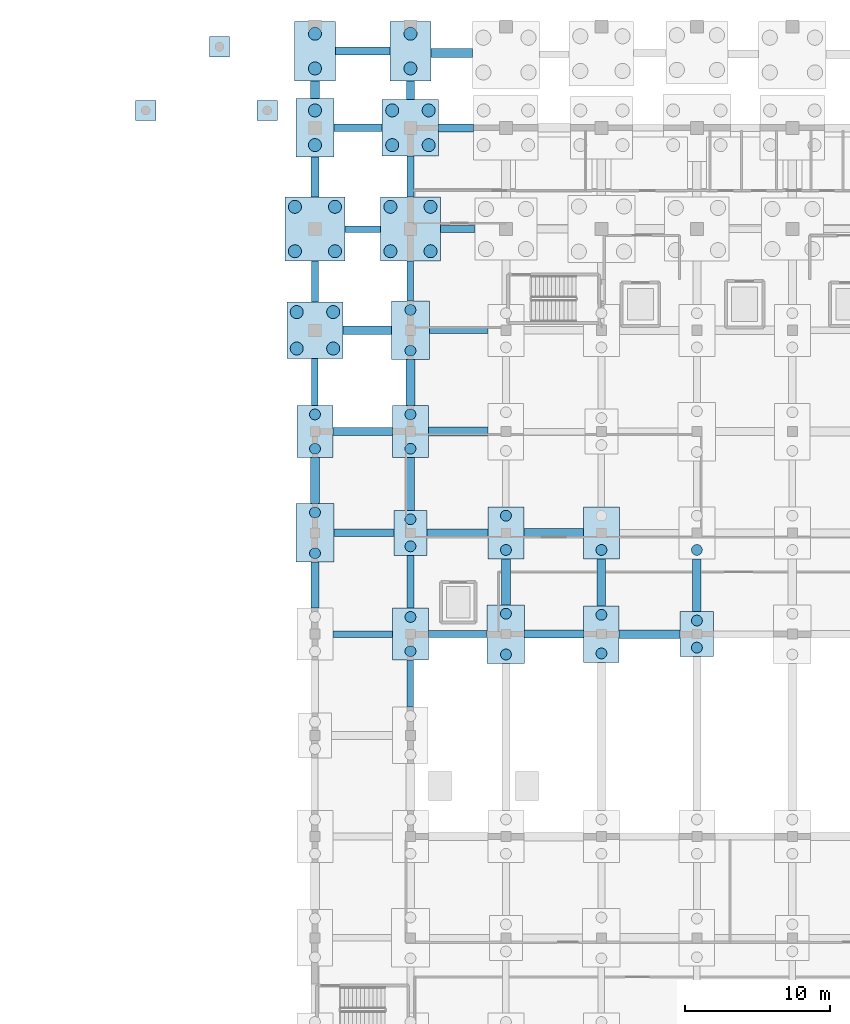
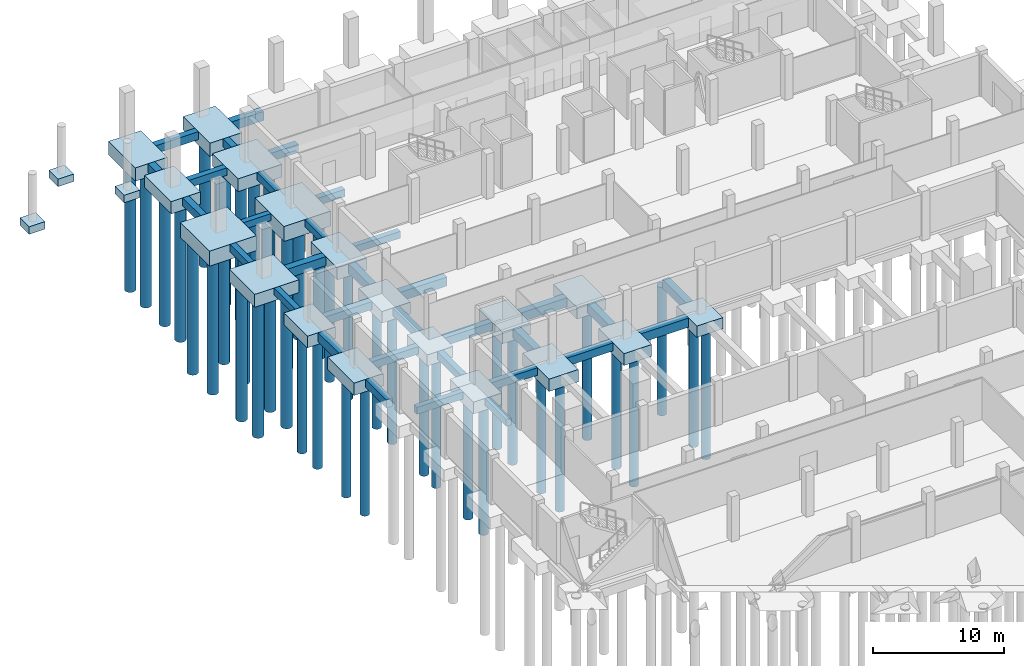
# One storey, part 8 of 27: 54 footings, 44 piles.
"""IFC4 building model written with IfcOpenShell, lengths in metres."""

from ifc_helpers import new_model, si_unit, direction, frame, origin, origin_2d, place, context, subcontext, project, spatial, rectangle, circle, extrude, material, material_profile, profile_set, type_object, element, save


model = new_model("IFC4")

# Units and contexts
model_context = context("Model", 3, precision=1e-05, world=origin(), true_north=direction((0.0, 1.0)))
body_context = subcontext(model_context, "Body", "Model", "MODEL_VIEW")
ifc_project = project(units=[si_unit("LENGTHUNIT", "METRE"), si_unit("AREAUNIT", "SQUARE_METRE"), si_unit("VOLUMEUNIT", "CUBIC_METRE"), si_unit("PLANEANGLEUNIT", "RADIAN"), si_unit("MASSUNIT", "GRAM", prefix="KILO")], contexts=[model_context])

# Site, building, storey
site_placement = place(None, origin())
site = spatial("IfcSite", under=ifc_project, at=site_placement, CompositionType="ELEMENT")
building_placement = place(site_placement, origin())
building = spatial("IfcBuilding", under=site, at=building_placement, Name="Ciguamira Faculty of Natural Sciences", CompositionType="ELEMENT")
storey_placement = place(building_placement, frame((0.0, 0.0, -4.199951171875)))
storey = spatial("IfcBuildingStorey", under=building, at=storey_placement, Name="B1", CompositionType="ELEMENT", Elevation=-4.199951171875)

# Piles
ifc_material = material(Name="Concrete C35/45", Category="concrete")
ifc_material_profile_1 = material_profile(ifc_material, circle(Radius=0.375, at=origin_2d()), Name="PILE-BORED-750")
ifc_profile_set_1 = profile_set([ifc_material_profile_1], Name="Concrete C35/45")
pile_type_1 = type_object("IfcPileType", Name="BoredPile_BP-02_750", PredefinedType="BORED", material=ifc_profile_set_1)
for number, where, z_axis, x_axis, name in (
    (1, (57.300048828125, 78.590087890625, -1.449951171875), (0.0, 0.0, -1.0), (1.0, 0.0, 0.0), "B1 bored pile 044-1"),
    (2, (57.300048828125, 81.409912109375, -1.449951171875), (0.0, 0.0, -1.0), (1.0, 0.0, 0.0), "B1 bored pile 044-2"),
):
    element("IfcPile", number, at=place(storey_placement, frame(where, z_axis=z_axis, x_axis=x_axis)), inside=storey, type_object=pile_type_1, Name=name, PredefinedType="BORED", context=body_context, shape_type="SweptSolid", body=[
        extrude(circle(Radius=0.375, at=origin_2d()), origin(), (0.0, 0.0, 1.0), 11.949951171875),
    ])
for number, where, z_axis, x_axis, name in (
    (3, (57.300048828125, 85.81494140625, -1.400146484375), (0.0, 0.0, -1.0), (1.0, 0.0, 0.0), "B1 bored pile 045-1"),
    (4, (57.300048828125, 88.18505859375, -1.400146484375), (0.0, 0.0, -1.0), (1.0, 0.0, 0.0), "B1 bored pile 045-2"),
    (5, (63.89990234375, 71.81494140625, -1.400146484375), (0.0, 0.0, -1.0), (1.0, 0.0, 0.0), "B1 bored pile 059-1"),
    (6, (63.89990234375, 74.18505859375, -1.400146484375), (0.0, 0.0, -1.0), (1.0, 0.0, 0.0), "B1 bored pile 059-2"),
):
    element("IfcPile", number, at=place(storey_placement, frame(where, z_axis=z_axis, x_axis=x_axis)), inside=storey, type_object=pile_type_1, Name=name, PredefinedType="BORED", context=body_context, shape_type="SweptSolid", body=[
        extrude(circle(Radius=0.375, at=origin_2d()), origin(), (0.0, 0.0, 1.0), 12.0),
    ])
for number, where, z_axis, x_axis, name in (
    (7, (63.89990234375, 79.06494140625, -1.35009765625), (0.0, 0.0, -1.0), (1.0, 0.0, 0.0), "B1 bored pile 060-1"),
    (8, (63.89990234375, 80.93505859375, -1.35009765625), (0.0, 0.0, -1.0), (1.0, 0.0, 0.0), "B1 bored pile 060-2"),
):
    element("IfcPile", number, at=place(storey_placement, frame(where, z_axis=z_axis, x_axis=x_axis)), inside=storey, type_object=pile_type_1, Name=name, PredefinedType="BORED", context=body_context, shape_type="SweptSolid", body=[
        extrude(circle(Radius=0.375, at=origin_2d()), origin(), (0.0, 0.0, 1.0), 12.050048828125),
    ])
for number, where, z_axis, x_axis, name in (
    (9, (63.89990234375, 85.81494140625, -1.400146484375), (0.0, 0.0, -1.0), (1.0, 0.0, 0.0), "B1 bored pile 061-1"),
    (10, (63.89990234375, 88.18505859375, -1.400146484375), (0.0, 0.0, -1.0), (1.0, 0.0, 0.0), "B1 bored pile 061-2"),
):
    element("IfcPile", number, at=place(storey_placement, frame(where, z_axis=z_axis, x_axis=x_axis)), inside=storey, type_object=pile_type_1, Name=name, PredefinedType="BORED", context=body_context, shape_type="SweptSolid", body=[
        extrude(circle(Radius=0.375, at=origin_2d()), origin(), (0.0, 0.0, 1.0), 12.0),
    ])
for number, where, z_axis, x_axis, name in (
    (11, (63.89990234375, 92.590087890625, -1.449951171875), (0.0, 0.0, -1.0), (1.0, 0.0, 0.0), "B1 bored pile 062-1"),
    (12, (63.89990234375, 95.409912109375, -1.449951171875), (0.0, 0.0, -1.0), (1.0, 0.0, 0.0), "B1 bored pile 062-2"),
    (13, (70.5, 71.590087890625, -1.449951171875), (0.0, 0.0, -1.0), (1.0, 0.0, 0.0), "B1 bored pile 074-1"),
    (14, (70.5, 74.409912109375, -1.449951171875), (0.0, 0.0, -1.0), (1.0, 0.0, 0.0), "B1 bored pile 074-2"),
):
    element("IfcPile", number, at=place(storey_placement, frame(where, z_axis=z_axis, x_axis=x_axis)), inside=storey, type_object=pile_type_1, Name=name, PredefinedType="BORED", context=body_context, shape_type="SweptSolid", body=[
        extrude(circle(Radius=0.375, at=origin_2d()), origin(), (0.0, 0.0, 1.0), 11.949951171875),
    ])
for number, where, z_axis, x_axis, name in (
    (15, (70.5, 78.81494140625, -1.400146484375), (0.0, 0.0, -1.0), (1.0, 0.0, 0.0), "B1 bored pile 075-1"),
    (16, (70.5, 81.18505859375, -1.400146484375), (0.0, 0.0, -1.0), (1.0, 0.0, 0.0), "B1 bored pile 075-2"),
    (17, (77.10009765625, 71.6650390625, -1.400146484375), (0.0, 0.0, -1.0), (1.0, 0.0, 0.0), "B1 bored pile 088-1"),
    (18, (77.10009765625, 74.3349609375, -1.400146484375), (0.0, 0.0, -1.0), (1.0, 0.0, 0.0), "B1 bored pile 088-2"),
    (19, (77.10009765625, 78.81494140625, -1.400146484375), (0.0, 0.0, -1.0), (1.0, 0.0, 0.0), "B1 bored pile 089-1"),
):
    element("IfcPile", number, at=place(storey_placement, frame(where, z_axis=z_axis, x_axis=x_axis)), inside=storey, type_object=pile_type_1, Name=name, PredefinedType="BORED", context=body_context, shape_type="SweptSolid", body=[
        extrude(circle(Radius=0.375, at=origin_2d()), origin(), (0.0, 0.0, 1.0), 12.0),
    ])
for number, where, z_axis, x_axis, name in (
    (20, (83.699951171875, 72.06494140625, -1.35009765625), (0.0, 0.0, -1.0), (1.0, 0.0, 0.0), "B1 bored pile 102-1"),
    (21, (83.699951171875, 73.93505859375, -1.35009765625), (0.0, 0.0, -1.0), (1.0, 0.0, 0.0), "B1 bored pile 102-2"),
):
    element("IfcPile", number, at=place(storey_placement, frame(where, z_axis=z_axis, x_axis=x_axis)), inside=storey, type_object=pile_type_1, Name=name, PredefinedType="BORED", context=body_context, shape_type="SweptSolid", body=[
        extrude(circle(Radius=0.375, at=origin_2d()), origin(), (0.0, 0.0, 1.0), 12.050048828125),
    ])
pile_placement = place(storey_placement, frame((83.699951171875, 78.81494140625, -1.400146484375), z_axis=(0.0, 0.0, -1.0), x_axis=(1.0, 0.0, 0.0)))
element("IfcPile", 22, at=pile_placement, inside=storey, type_object=pile_type_1, Name="B1 bored pile 103-1", PredefinedType="BORED", context=body_context, shape_type="SweptSolid", body=[
    extrude(circle(Radius=0.375, at=origin_2d()), origin(), (0.0, 0.0, 1.0), 12.0),
])
ifc_material_profile_2 = material_profile(ifc_material, circle(Radius=0.449951171875, at=origin_2d()), Name="PILE-BORED-900")
ifc_profile_set_2 = profile_set([ifc_material_profile_2], Name="Concrete C35/45")
pile_type_2 = type_object("IfcPileType", Name="BoredPile_BP-03_900", PredefinedType="BORED", material=ifc_profile_set_2)
for number, where, z_axis, x_axis, name in (
    (23, (56.0400390625, 92.739990234375, -1.5), (0.0, 0.0, -1.0), (1.0, 0.0, 0.0), "B1 bored pile 046-1"),
    (24, (58.56005859375, 92.739990234375, -1.5), (0.0, 0.0, -1.0), (1.0, 0.0, 0.0), "B1 bored pile 046-2"),
    (25, (56.0400390625, 95.260009765625, -1.5), (0.0, 0.0, -1.0), (1.0, 0.0, 0.0), "B1 bored pile 046-3"),
    (26, (58.56005859375, 95.260009765625, -1.5), (0.0, 0.0, -1.0), (1.0, 0.0, 0.0), "B1 bored pile 046-4"),
):
    element("IfcPile", number, at=place(storey_placement, frame(where, z_axis=z_axis, x_axis=x_axis)), inside=storey, type_object=pile_type_2, Name=name, PredefinedType="BORED", context=body_context, shape_type="SweptSolid", body=[
        extrude(circle(Radius=0.449951171875, at=origin_2d()), origin(), (0.0, 0.0, 1.0), 12.699951171875),
    ])
for number, where, z_axis, x_axis, name in (
    (27, (55.9150390625, 99.465087890625, -1.699951171875), (0.0, 0.0, -1.0), (1.0, 0.0, 0.0), "B1 bored pile 047-1"),
    (28, (58.68505859375, 99.465087890625, -1.699951171875), (0.0, 0.0, -1.0), (1.0, 0.0, 0.0), "B1 bored pile 047-2"),
    (29, (55.9150390625, 102.534912109375, -1.699951171875), (0.0, 0.0, -1.0), (1.0, 0.0, 0.0), "B1 bored pile 047-3"),
    (30, (58.68505859375, 102.534912109375, -1.699951171875), (0.0, 0.0, -1.0), (1.0, 0.0, 0.0), "B1 bored pile 047-4"),
):
    element("IfcPile", number, at=place(storey_placement, frame(where, z_axis=z_axis, x_axis=x_axis)), inside=storey, type_object=pile_type_2, Name=name, PredefinedType="BORED", context=body_context, shape_type="SweptSolid", body=[
        extrude(circle(Radius=0.449951171875, at=origin_2d()), origin(), (0.0, 0.0, 1.0), 12.5),
    ])
for number, where, z_axis, x_axis, name in (
    (31, (57.300048828125, 106.800048828125, -1.449951171875), (0.0, 0.0, -1.0), (1.0, 0.0, 0.0), "B1 bored pile 048-1"),
    (32, (57.300048828125, 109.199951171875, -1.449951171875), (0.0, 0.0, -1.0), (1.0, 0.0, 0.0), "B1 bored pile 048-2"),
):
    element("IfcPile", number, at=place(storey_placement, frame(where, z_axis=z_axis, x_axis=x_axis)), inside=storey, type_object=pile_type_2, Name=name, PredefinedType="BORED", context=body_context, shape_type="SweptSolid", body=[
        extrude(circle(Radius=0.449951171875, at=origin_2d()), origin(), (0.0, 0.0, 1.0), 12.75),
    ])
for number, where, z_axis, x_axis, name in (
    (33, (57.300048828125, 112.10009765625, -1.550048828125), (0.0, 0.0, -1.0), (1.0, 0.0, 0.0), "B1 bored pile 049-1"),
    (34, (57.300048828125, 114.5, -1.550048828125), (0.0, 0.0, -1.0), (1.0, 0.0, 0.0), "B1 bored pile 049-2"),
):
    element("IfcPile", number, at=place(storey_placement, frame(where, z_axis=z_axis, x_axis=x_axis)), inside=storey, type_object=pile_type_2, Name=name, PredefinedType="BORED", context=body_context, shape_type="SweptSolid", body=[
        extrude(circle(Radius=0.449951171875, at=origin_2d()), origin(), (0.0, 0.0, 1.0), 12.64990234375),
    ])
for number, where, z_axis, x_axis, name in (
    (35, (62.514892578125, 99.465087890625, -1.699951171875), (0.0, 0.0, -1.0), (1.0, 0.0, 0.0), "B1 bored pile 063-1"),
    (36, (65.284912109375, 99.465087890625, -1.699951171875), (0.0, 0.0, -1.0), (1.0, 0.0, 0.0), "B1 bored pile 063-2"),
    (37, (62.514892578125, 102.534912109375, -1.699951171875), (0.0, 0.0, -1.0), (1.0, 0.0, 0.0), "B1 bored pile 063-3"),
    (38, (65.284912109375, 102.534912109375, -1.699951171875), (0.0, 0.0, -1.0), (1.0, 0.0, 0.0), "B1 bored pile 063-4"),
):
    element("IfcPile", number, at=place(storey_placement, frame(where, z_axis=z_axis, x_axis=x_axis)), inside=storey, type_object=pile_type_2, Name=name, PredefinedType="BORED", context=body_context, shape_type="SweptSolid", body=[
        extrude(circle(Radius=0.449951171875, at=origin_2d()), origin(), (0.0, 0.0, 1.0), 12.5),
    ])
for number, where, z_axis, x_axis, name in (
    (39, (62.639892578125, 106.800048828125, -1.5), (0.0, 0.0, -1.0), (1.0, 0.0, 0.0), "B1 bored pile 064-1"),
    (40, (65.159912109375, 106.800048828125, -1.5), (0.0, 0.0, -1.0), (1.0, 0.0, 0.0), "B1 bored pile 064-2"),
    (41, (62.639892578125, 109.199951171875, -1.5), (0.0, 0.0, -1.0), (1.0, 0.0, 0.0), "B1 bored pile 064-3"),
    (42, (65.159912109375, 109.199951171875, -1.5), (0.0, 0.0, -1.0), (1.0, 0.0, 0.0), "B1 bored pile 064-4"),
):
    element("IfcPile", number, at=place(storey_placement, frame(where, z_axis=z_axis, x_axis=x_axis)), inside=storey, type_object=pile_type_2, Name=name, PredefinedType="BORED", context=body_context, shape_type="SweptSolid", body=[
        extrude(circle(Radius=0.449951171875, at=origin_2d()), origin(), (0.0, 0.0, 1.0), 12.699951171875),
    ])
for number, where, z_axis, x_axis, name in (
    (43, (63.89990234375, 112.10009765625, -1.550048828125), (0.0, 0.0, -1.0), (1.0, 0.0, 0.0), "B1 bored pile 065-1"),
    (44, (63.89990234375, 114.5, -1.550048828125), (0.0, 0.0, -1.0), (1.0, 0.0, 0.0), "B1 bored pile 065-2"),
):
    element("IfcPile", number, at=place(storey_placement, frame(where, z_axis=z_axis, x_axis=x_axis)), inside=storey, type_object=pile_type_2, Name=name, PredefinedType="BORED", context=body_context, shape_type="SweptSolid", body=[
        extrude(circle(Radius=0.449951171875, at=origin_2d()), origin(), (0.0, 0.0, 1.0), 12.64990234375),
    ])

# Footings
ifc_material_profile_3 = material_profile(ifc_material, rectangle(XDim=0.449951171875, YDim=0.64990234375, at=origin_2d()), Name="RC-FB-450X650")
ifc_profile_set_3 = profile_set([ifc_material_profile_3], Name="Concrete C35/45")
footing_type_1 = type_object("IfcFootingType", Name="FootingBeam_FB-01_450x650", PredefinedType="FOOTING_BEAM", material=ifc_profile_set_3)
footing_1_placement = place(storey_placement, frame((58.550048828125, 73.0, -0.72509765625), z_axis=(1.0, 0.0, 0.0), x_axis=(0.0, 1.0, 0.0)))
element("IfcFooting", 45, at=footing_1_placement, inside=storey, type_object=footing_type_1, Name="B1 ground tie beam 0129", PredefinedType="FOOTING_BEAM", context=body_context, shape_type="SweptSolid", body=[
    extrude(rectangle(XDim=0.449951171875, YDim=0.64990234375, at=origin_2d()), origin(), (0.0, 0.0, 1.0), 4.099853515625),
])
footing_2_placement = place(storey_placement, frame((65.199951171875, 94.0, -0.72509765625), z_axis=(1.0, 0.0, 0.0), x_axis=(0.0, 1.0, 0.0)))
element("IfcFooting", 46, at=footing_2_placement, inside=storey, type_object=footing_type_1, Name="B1 ground tie beam 0157", PredefinedType="FOOTING_BEAM", context=body_context, shape_type="SweptSolid", body=[
    extrude(rectangle(XDim=0.449951171875, YDim=0.64990234375, at=origin_2d()), origin(), (0.0, 0.0, 1.0), 4.050048828125),
])
footing_3_placement = place(storey_placement, frame((59.375, 101.0, -0.72509765625), z_axis=(1.0, 0.0, 0.0), x_axis=(0.0, 1.0, 0.0)))
element("IfcFooting", 47, at=footing_3_placement, inside=storey, type_object=footing_type_1, Name="B1 ground tie beam 0165", PredefinedType="FOOTING_BEAM", context=body_context, shape_type="SweptSolid", body=[
    extrude(rectangle(XDim=0.449951171875, YDim=0.64990234375, at=origin_2d()), origin(), (0.0, 0.0, 1.0), 2.449951171875),
])
for number, where, z_axis, x_axis, name in (
    (48, (57.300048828125, 88.800048828125, -0.72509765625), (0.0, 1.0, 0.0), (-1.0, 0.0, 0.0), "B1 ground tie beam 0229"),
    (49, (63.89990234375, 67.949951171875, -0.72509765625), (0.0, 1.0, 0.0), (-1.0, 0.0, 0.0), "B1 ground tie beam 0241"),
):
    element("IfcFooting", number, at=place(storey_placement, frame(where, z_axis=z_axis, x_axis=x_axis)), inside=storey, type_object=footing_type_1, Name=name, PredefinedType="FOOTING_BEAM", context=body_context, shape_type="SweptSolid", body=[
        extrude(rectangle(XDim=0.449951171875, YDim=0.64990234375, at=origin_2d()), origin(), (0.0, 0.0, 1.0), 3.25),
    ])
footing_4_placement = place(storey_placement, frame((63.89990234375, 96.02490234375, -0.72509765625), z_axis=(0.0, 1.0, 0.0), x_axis=(-1.0, 0.0, 0.0)))
element("IfcFooting", 50, at=footing_4_placement, inside=storey, type_object=footing_type_1, Name="B1 ground tie beam 0245", PredefinedType="FOOTING_BEAM", context=body_context, shape_type="SweptSolid", body=[
    extrude(rectangle(XDim=0.449951171875, YDim=0.64990234375, at=origin_2d()), origin(), (0.0, 0.0, 1.0), 2.75),
])
ifc_material_profile_4 = material_profile(ifc_material, rectangle(XDim=0.5, YDim=0.699951171875, at=origin_2d()), Name="RC-FB-500X700")
ifc_profile_set_4 = profile_set([ifc_material_profile_4], Name="Concrete C35/45")
footing_type_2 = type_object("IfcFootingType", Name="FootingBeam_FB-02_500x700", PredefinedType="FOOTING_BEAM", material=ifc_profile_set_4)
footing_5_placement = place(storey_placement, frame((65.14990234375, 73.0, -0.75), z_axis=(1.0, 0.0, 0.0), x_axis=(0.0, 1.0, 0.0)))
element("IfcFooting", 51, at=footing_5_placement, inside=storey, type_object=footing_type_2, Name="B1 ground tie beam 0130", PredefinedType="FOOTING_BEAM", context=body_context, shape_type="SweptSolid", body=[
    extrude(rectangle(XDim=0.5, YDim=0.699951171875, at=origin_2d()), origin(), (0.0, 0.0, 1.0), 4.050048828125),
])
footing_6_placement = place(storey_placement, frame((58.60009765625, 80.0, -0.75), z_axis=(1.0, 0.0, 0.0), x_axis=(0.0, 1.0, 0.0)))
element("IfcFooting", 52, at=footing_6_placement, inside=storey, type_object=footing_type_2, Name="B1 ground tie beam 0138", PredefinedType="FOOTING_BEAM", context=body_context, shape_type="SweptSolid", body=[
    extrude(rectangle(XDim=0.5, YDim=0.699951171875, at=origin_2d()), origin(), (0.0, 0.0, 1.0), 4.14990234375),
])
footing_7_placement = place(storey_placement, frame((65.97509765625, 101.0, -0.75), z_axis=(1.0, 0.0, 0.0), x_axis=(0.0, 1.0, 0.0)))
element("IfcFooting", 53, at=footing_7_placement, inside=storey, type_object=footing_type_2, Name="B1 ground tie beam 0166", PredefinedType="FOOTING_BEAM", context=body_context, shape_type="SweptSolid", body=[
    extrude(rectangle(XDim=0.5, YDim=0.699951171875, at=origin_2d()), origin(), (0.0, 0.0, 1.0), 2.375),
])
footing_8_placement = place(storey_placement, frame((58.60009765625, 108.0, -0.75), z_axis=(1.0, 0.0, 0.0), x_axis=(0.0, 1.0, 0.0)))
element("IfcFooting", 54, at=footing_8_placement, inside=storey, type_object=footing_type_2, Name="B1 ground tie beam 0174", PredefinedType="FOOTING_BEAM", context=body_context, shape_type="SweptSolid", body=[
    extrude(rectangle(XDim=0.5, YDim=0.699951171875, at=origin_2d()), origin(), (0.0, 0.0, 1.0), 3.349853515625),
])
footing_9_placement = place(storey_placement, frame((57.300048828125, 95.949951171875, -0.75), z_axis=(0.0, 1.0, 0.0), x_axis=(-1.0, 0.0, 0.0)))
element("IfcFooting", 55, at=footing_9_placement, inside=storey, type_object=footing_type_2, Name="B1 ground tie beam 0230", PredefinedType="FOOTING_BEAM", context=body_context, shape_type="SweptSolid", body=[
    extrude(rectangle(XDim=0.5, YDim=0.699951171875, at=origin_2d()), origin(), (0.0, 0.0, 1.0), 2.824951171875),
])
footing_10_placement = place(storey_placement, frame((63.89990234375, 74.800048828125, -0.75), z_axis=(0.0, 1.0, 0.0), x_axis=(-1.0, 0.0, 0.0)))
element("IfcFooting", 56, at=footing_10_placement, inside=storey, type_object=footing_type_2, Name="B1 ground tie beam 0242", PredefinedType="FOOTING_BEAM", context=body_context, shape_type="SweptSolid", body=[
    extrude(rectangle(XDim=0.5, YDim=0.699951171875, at=origin_2d()), origin(), (0.0, 0.0, 1.0), 3.64990234375),
])
footing_11_placement = place(storey_placement, frame((63.89990234375, 103.22509765625, -0.75), z_axis=(0.0, 1.0, 0.0), x_axis=(-1.0, 0.0, 0.0)))
element("IfcFooting", 57, at=footing_11_placement, inside=storey, type_object=footing_type_2, Name="B1 ground tie beam 0246", PredefinedType="FOOTING_BEAM", context=body_context, shape_type="SweptSolid", body=[
    extrude(rectangle(XDim=0.5, YDim=0.699951171875, at=origin_2d()), origin(), (0.0, 0.0, 1.0), 2.824951171875),
])
ifc_material_profile_5 = material_profile(ifc_material, rectangle(XDim=0.550048828125, YDim=0.75, at=origin_2d()), Name="RC-FB-550X750")
ifc_profile_set_5 = profile_set([ifc_material_profile_5], Name="Concrete C35/45")
footing_type_3 = type_object("IfcFootingType", Name="FootingBeam_FB-03_550x750", PredefinedType="FOOTING_BEAM", material=ifc_profile_set_5)
footing_12_placement = place(storey_placement, frame((71.800048828125, 73.0, -0.775146484375), z_axis=(1.0, 0.0, 0.0), x_axis=(0.0, 1.0, 0.0)))
element("IfcFooting", 58, at=footing_12_placement, inside=storey, type_object=footing_type_3, Name="B1 ground tie beam 0131", PredefinedType="FOOTING_BEAM", context=body_context, shape_type="SweptSolid", body=[
    extrude(rectangle(XDim=0.550048828125, YDim=0.75, at=origin_2d()), origin(), (0.0, 0.0, 1.0), 4.074951171875),
])
footing_13_placement = place(storey_placement, frame((65.050048828125, 80.0, -0.775146484375), z_axis=(1.0, 0.0, 0.0), x_axis=(0.0, 1.0, 0.0)))
element("IfcFooting", 59, at=footing_13_placement, inside=storey, type_object=footing_type_3, Name="B1 ground tie beam 0139", PredefinedType="FOOTING_BEAM", context=body_context, shape_type="SweptSolid", body=[
    extrude(rectangle(XDim=0.550048828125, YDim=0.75, at=origin_2d()), origin(), (0.0, 0.0, 1.0), 4.199951171875),
])
footing_14_placement = place(storey_placement, frame((58.550048828125, 87.0, -0.775146484375), z_axis=(1.0, 0.0, 0.0), x_axis=(0.0, 1.0, 0.0)))
element("IfcFooting", 60, at=footing_14_placement, inside=storey, type_object=footing_type_3, Name="B1 ground tie beam 0147", PredefinedType="FOOTING_BEAM", context=body_context, shape_type="SweptSolid", body=[
    extrude(rectangle(XDim=0.550048828125, YDim=0.75, at=origin_2d()), origin(), (0.0, 0.0, 1.0), 4.099853515625),
])
footing_15_placement = place(storey_placement, frame((65.85009765625, 108.0, -0.775146484375), z_axis=(1.0, 0.0, 0.0), x_axis=(0.0, 1.0, 0.0)))
element("IfcFooting", 61, at=footing_15_placement, inside=storey, type_object=footing_type_3, Name="B1 ground tie beam 0175", PredefinedType="FOOTING_BEAM", context=body_context, shape_type="SweptSolid", body=[
    extrude(rectangle(XDim=0.550048828125, YDim=0.75, at=origin_2d()), origin(), (0.0, 0.0, 1.0), 2.4248046875),
])
footing_16_placement = place(storey_placement, frame((58.72509765625, 113.300048828125, -0.775146484375), z_axis=(1.0, 0.0, 0.0), x_axis=(0.0, 1.0, 0.0)))
element("IfcFooting", 62, at=footing_16_placement, inside=storey, type_object=footing_type_3, Name="B1 ground tie beam 0183", PredefinedType="FOOTING_BEAM", context=body_context, shape_type="SweptSolid", body=[
    extrude(rectangle(XDim=0.550048828125, YDim=0.75, at=origin_2d()), origin(), (0.0, 0.0, 1.0), 3.75),
])
footing_17_placement = place(storey_placement, frame((57.300048828125, 74.800048828125, -0.775146484375), z_axis=(0.0, 1.0, 0.0), x_axis=(-1.0, 0.0, 0.0)))
element("IfcFooting", 63, at=footing_17_placement, inside=storey, type_object=footing_type_3, Name="B1 ground tie beam 0227", PredefinedType="FOOTING_BEAM", context=body_context, shape_type="SweptSolid", body=[
    extrude(rectangle(XDim=0.550048828125, YDim=0.75, at=origin_2d()), origin(), (0.0, 0.0, 1.0), 3.175048828125),
])
footing_18_placement = place(storey_placement, frame((57.300048828125, 103.22509765625, -0.775146484375), z_axis=(0.0, 1.0, 0.0), x_axis=(-1.0, 0.0, 0.0)))
element("IfcFooting", 64, at=footing_18_placement, inside=storey, type_object=footing_type_3, Name="B1 ground tie beam 0231", PredefinedType="FOOTING_BEAM", context=body_context, shape_type="SweptSolid", body=[
    extrude(rectangle(XDim=0.550048828125, YDim=0.75, at=origin_2d()), origin(), (0.0, 0.0, 1.0), 2.75),
])
footing_19_placement = place(storey_placement, frame((63.89990234375, 81.550048828125, -0.775146484375), z_axis=(0.0, 1.0, 0.0), x_axis=(-1.0, 0.0, 0.0)))
element("IfcFooting", 65, at=footing_19_placement, inside=storey, type_object=footing_type_3, Name="B1 ground tie beam 0243", PredefinedType="FOOTING_BEAM", context=body_context, shape_type="SweptSolid", body=[
    extrude(rectangle(XDim=0.550048828125, YDim=0.75, at=origin_2d()), origin(), (0.0, 0.0, 1.0), 3.64990234375),
])
footing_20_placement = place(storey_placement, frame((63.89990234375, 109.949951171875, -0.775146484375), z_axis=(0.0, 1.0, 0.0), x_axis=(-1.0, 0.0, 0.0)))
element("IfcFooting", 66, at=footing_20_placement, inside=storey, type_object=footing_type_3, Name="B1 ground tie beam 0247", PredefinedType="FOOTING_BEAM", context=body_context, shape_type="SweptSolid", body=[
    extrude(rectangle(XDim=0.550048828125, YDim=0.75, at=origin_2d()), origin(), (0.0, 0.0, 1.0), 1.300048828125),
])
ifc_material_profile_6 = material_profile(ifc_material, rectangle(XDim=0.60009765625, YDim=0.85009765625, at=origin_2d()), Name="RC-FB-600X850")
ifc_profile_set_6 = profile_set([ifc_material_profile_6], Name="Concrete C35/45")
footing_type_4 = type_object("IfcFootingType", Name="FootingBeam_FB-04_600x850", PredefinedType="FOOTING_BEAM", material=ifc_profile_set_6)
footing_21_placement = place(storey_placement, frame((78.324951171875, 73.0, -0.824951171875), z_axis=(1.0, 0.0, 0.0), x_axis=(0.0, 1.0, 0.0)))
element("IfcFooting", 67, at=footing_21_placement, inside=storey, type_object=footing_type_4, Name="B1 ground tie beam 0132", PredefinedType="FOOTING_BEAM", context=body_context, shape_type="SweptSolid", body=[
    extrude(rectangle(XDim=0.60009765625, YDim=0.85009765625, at=origin_2d()), origin(), (0.0, 0.0, 1.0), 4.22509765625),
])
footing_22_placement = place(storey_placement, frame((71.75, 80.0, -0.824951171875), z_axis=(1.0, 0.0, 0.0), x_axis=(0.0, 1.0, 0.0)))
element("IfcFooting", 68, at=footing_22_placement, inside=storey, type_object=footing_type_4, Name="B1 ground tie beam 0140", PredefinedType="FOOTING_BEAM", context=body_context, shape_type="SweptSolid", body=[
    extrude(rectangle(XDim=0.60009765625, YDim=0.85009765625, at=origin_2d()), origin(), (0.0, 0.0, 1.0), 4.10009765625),
])
footing_23_placement = place(storey_placement, frame((65.14990234375, 87.0, -0.824951171875), z_axis=(1.0, 0.0, 0.0), x_axis=(0.0, 1.0, 0.0)))
element("IfcFooting", 69, at=footing_23_placement, inside=storey, type_object=footing_type_4, Name="B1 ground tie beam 0148", PredefinedType="FOOTING_BEAM", context=body_context, shape_type="SweptSolid", body=[
    extrude(rectangle(XDim=0.60009765625, YDim=0.85009765625, at=origin_2d()), origin(), (0.0, 0.0, 1.0), 4.125),
])
footing_24_placement = place(storey_placement, frame((59.25, 94.0, -0.824951171875), z_axis=(1.0, 0.0, 0.0), x_axis=(0.0, 1.0, 0.0)))
element("IfcFooting", 70, at=footing_24_placement, inside=storey, type_object=footing_type_4, Name="B1 ground tie beam 0156", PredefinedType="FOOTING_BEAM", context=body_context, shape_type="SweptSolid", body=[
    extrude(rectangle(XDim=0.60009765625, YDim=0.85009765625, at=origin_2d()), origin(), (0.0, 0.0, 1.0), 3.35009765625),
])
footing_25_placement = place(storey_placement, frame((65.324951171875, 113.16259765625, -0.824951171875), z_axis=(1.0, 0.0, 0.0), x_axis=(0.0, 1.0, 0.0)))
element("IfcFooting", 71, at=footing_25_placement, inside=storey, type_object=footing_type_4, Name="B1 ground tie beam 0184", PredefinedType="FOOTING_BEAM", context=body_context, shape_type="SweptSolid", body=[
    extrude(rectangle(XDim=0.60009765625, YDim=0.85009765625, at=origin_2d()), origin(), (0.0, 0.0, 1.0), 2.85009765625),
])
footing_26_placement = place(storey_placement, frame((57.300048828125, 82.02490234375, -0.824951171875), z_axis=(0.0, 1.0, 0.0), x_axis=(-1.0, 0.0, 0.0)))
element("IfcFooting", 72, at=footing_26_placement, inside=storey, type_object=footing_type_4, Name="B1 ground tie beam 0228", PredefinedType="FOOTING_BEAM", context=body_context, shape_type="SweptSolid", body=[
    extrude(rectangle(XDim=0.60009765625, YDim=0.85009765625, at=origin_2d()), origin(), (0.0, 0.0, 1.0), 3.175048828125),
])
footing_27_placement = place(storey_placement, frame((57.300048828125, 110.02490234375, -0.824951171875), z_axis=(0.0, 1.0, 0.0), x_axis=(-1.0, 0.0, 0.0)))
element("IfcFooting", 73, at=footing_27_placement, inside=storey, type_object=footing_type_4, Name="B1 ground tie beam 0232", PredefinedType="FOOTING_BEAM", context=body_context, shape_type="SweptSolid", body=[
    extrude(rectangle(XDim=0.60009765625, YDim=0.85009765625, at=origin_2d()), origin(), (0.0, 0.0, 1.0), 1.22509765625),
])
for number, where, z_axis, x_axis, name in (
    (74, (63.89990234375, 88.800048828125, -0.824951171875), (0.0, 1.0, 0.0), (-1.0, 0.0, 0.0), "B1 ground tie beam 0244"),
    (75, (70.5, 75.02490234375, -0.824951171875), (0.0, 1.0, 0.0), (-1.0, 0.0, 0.0), "B1 ground tie beam 0256"),
):
    element("IfcFooting", number, at=place(storey_placement, frame(where, z_axis=z_axis, x_axis=x_axis)), inside=storey, type_object=footing_type_4, Name=name, PredefinedType="FOOTING_BEAM", context=body_context, shape_type="SweptSolid", body=[
        extrude(rectangle(XDim=0.60009765625, YDim=0.85009765625, at=origin_2d()), origin(), (0.0, 0.0, 1.0), 3.175048828125),
    ])
footing_28_placement = place(storey_placement, frame((77.10009765625, 74.949951171875, -0.824951171875), z_axis=(0.0, 1.0, 0.0), x_axis=(-1.0, 0.0, 0.0)))
element("IfcFooting", 76, at=footing_28_placement, inside=storey, type_object=footing_type_4, Name="B1 ground tie beam 0268", PredefinedType="FOOTING_BEAM", context=body_context, shape_type="SweptSolid", body=[
    extrude(rectangle(XDim=0.60009765625, YDim=0.85009765625, at=origin_2d()), origin(), (0.0, 0.0, 1.0), 3.25),
])
footing_29_placement = place(storey_placement, frame((83.699951171875, 74.550048828125, -0.824951171875), z_axis=(0.0, 1.0, 0.0), x_axis=(-1.0, 0.0, 0.0)))
element("IfcFooting", 77, at=footing_29_placement, inside=storey, type_object=footing_type_4, Name="B1 ground tie beam 0280", PredefinedType="FOOTING_BEAM", context=body_context, shape_type="SweptSolid", body=[
    extrude(rectangle(XDim=0.60009765625, YDim=0.85009765625, at=origin_2d()), origin(), (0.0, 0.0, 1.0), 3.64990234375),
])
footing_type_5 = type_object("IfcFootingType", Name="PadFooting_RFP-PV_1400x1400x700", PredefinedType="PAD_FOOTING", material=ifc_material)
for number, where, z_axis, x_axis, name in (
    (78, (45.60009765625, 109.199951171875, -1.10009765625), (0.0, 0.0, 1.0), (1.0, 0.0, 0.0), "B1 exterior slab pier pad footing SIDEWALK1"),
    (79, (54.0, 109.199951171875, -1.10009765625), (0.0, 0.0, 1.0), (1.0, 0.0, 0.0), "B1 exterior slab pier pad footing SIDEWALK2"),
    (80, (50.699951171875, 113.60009765625, -1.10009765625), (0.0, 0.0, 1.0), (1.0, 0.0, 0.0), "B1 exterior slab pier pad footing SIDEWALK3"),
):
    element("IfcFooting", number, at=place(storey_placement, frame(where, z_axis=z_axis, x_axis=x_axis)), inside=storey, type_object=footing_type_5, Name=name, PredefinedType="PAD_FOOTING", context=body_context, shape_type="SweptSolid", body=[
        extrude(rectangle(XDim=1.39990234375, YDim=1.39990234375, at=origin_2d()), origin(), (0.0, 0.0, 1.0), 0.699951171875),
    ])
footing_type_6 = type_object("IfcFootingType", Name="PileCap_PC-03_230x310x105", PredefinedType="PILE_CAP", material=ifc_material)
for number, where, z_axis, x_axis, name in (
    (81, (63.89990234375, 80.0, -1.4501953125), (0.0, 0.0, 1.0), (1.0, 0.0, 0.0), "B1 pile cap PC-03 at (63.9, 80.0)"),
    (82, (83.699951171875, 73.0, -1.4501953125), (0.0, 0.0, 1.0), (1.0, 0.0, 0.0), "B1 pile cap PC-03 at (83.7, 73.0)"),
):
    element("IfcFooting", number, at=place(storey_placement, frame(where, z_axis=z_axis, x_axis=x_axis)), inside=storey, type_object=footing_type_6, Name=name, PredefinedType="PILE_CAP", context=body_context, shape_type="SweptSolid", body=[
        extrude(rectangle(XDim=2.300048828125, YDim=3.10009765625, at=origin_2d()), origin(), (0.0, 0.0, 1.0), 1.050048828125),
    ])
footing_type_7 = type_object("IfcFootingType", Name="PileCap_PC-04_245x390x110", PredefinedType="PILE_CAP", material=ifc_material)
footing_30_placement = place(storey_placement, frame((77.10009765625, 73.0, -1.5), z_axis=(0.0, 0.0, 1.0), x_axis=(1.0, 0.0, 0.0)))
element("IfcFooting", 83, at=footing_30_placement, inside=storey, type_object=footing_type_7, Name="B1 pile cap PC-04 at (77.1, 73.0)", PredefinedType="PILE_CAP", context=body_context, shape_type="SweptSolid", body=[
    extrude(rectangle(XDim=2.449951171875, YDim=3.89990234375, at=origin_2d()), origin(), (0.0, 0.0, 1.0), 1.10009765625),
])
footing_type_8 = type_object("IfcFootingType", Name="PileCap_PC-05_260x405x115", PredefinedType="PILE_CAP", material=ifc_material)
for number, where, z_axis, x_axis, name in (
    (84, (57.300048828125, 80.0, -1.550048828125), (0.0, 0.0, 1.0), (1.0, 0.0, 0.0), "B1 pile cap PC-05 at (57.3, 80.0)"),
    (85, (57.300048828125, 108.0, -1.550048828125), (0.0, 0.0, 1.0), (1.0, 0.0, 0.0), "B1 pile cap PC-05 at (57.3, 108.0)"),
    (86, (63.89990234375, 94.0, -1.550048828125), (0.0, 0.0, 1.0), (1.0, 0.0, 0.0), "B1 pile cap PC-05 at (63.9, 94.0)"),
    (87, (70.5, 73.0, -1.550048828125), (0.0, 0.0, 1.0), (1.0, 0.0, 0.0), "B1 pile cap PC-05 at (70.5, 73.0)"),
):
    element("IfcFooting", number, at=place(storey_placement, frame(where, z_axis=z_axis, x_axis=x_axis)), inside=storey, type_object=footing_type_8, Name=name, PredefinedType="PILE_CAP", context=body_context, shape_type="SweptSolid", body=[
        extrude(rectangle(XDim=2.60009765625, YDim=4.050048828125, at=origin_2d()), origin(), (0.0, 0.0, 1.0), 1.14990234375),
    ])
footing_type_9 = type_object("IfcFootingType", Name="PileCap_PC-06_390x390x120", PredefinedType="PILE_CAP", material=ifc_material)
for number, where, z_axis, x_axis, name in (
    (88, (57.300048828125, 94.0, -1.60009765625), (0.0, 0.0, 1.0), (1.0, 0.0, 0.0), "B1 pile cap PC-06 at (57.3, 94.0)"),
    (89, (63.89990234375, 108.0, -1.60009765625), (0.0, 0.0, 1.0), (1.0, 0.0, 0.0), "B1 pile cap PC-06 at (63.9, 108.0)"),
):
    element("IfcFooting", number, at=place(storey_placement, frame(where, z_axis=z_axis, x_axis=x_axis)), inside=storey, type_object=footing_type_9, Name=name, PredefinedType="PILE_CAP", context=body_context, shape_type="SweptSolid", body=[
        extrude(rectangle(XDim=3.89990234375, YDim=3.89990234375, at=origin_2d()), origin(), (0.0, 0.0, 1.0), 1.199951171875),
    ])
footing_type_10 = type_object("IfcFootingType", Name="PileCap_PC-12_250x360x110", PredefinedType="PILE_CAP", material=ifc_material)
for number, where, z_axis, x_axis, name in (
    (90, (57.300048828125, 87.0, -1.5), (0.0, 0.0, 1.0), (1.0, 0.0, 0.0), "B1 pile cap PC-12 at (57.3, 87.0)"),
    (91, (63.89990234375, 73.0, -1.5), (0.0, 0.0, 1.0), (1.0, 0.0, 0.0), "B1 pile cap PC-12 at (63.9, 73.0)"),
    (92, (63.89990234375, 87.0, -1.5), (0.0, 0.0, 1.0), (1.0, 0.0, 0.0), "B1 pile cap PC-12 at (63.9, 87.0)"),
    (93, (70.5, 80.0, -1.5), (0.0, 0.0, 1.0), (1.0, 0.0, 0.0), "B1 pile cap PC-12 at (70.5, 80.0)"),
    (94, (77.10009765625, 80.0, -1.5), (0.0, 0.0, 1.0), (1.0, 0.0, 0.0), "B1 pile cap PC-12 at (77.1, 80.0)"),
):
    element("IfcFooting", number, at=place(storey_placement, frame(where, z_axis=z_axis, x_axis=x_axis)), inside=storey, type_object=footing_type_10, Name=name, PredefinedType="PILE_CAP", context=body_context, shape_type="SweptSolid", body=[
        extrude(rectangle(XDim=2.5, YDim=3.60009765625, at=origin_2d()), origin(), (0.0, 0.0, 1.0), 1.10009765625),
    ])
footing_type_11 = type_object("IfcFootingType", Name="PileCap_PC-14_285x410x125", PredefinedType="PILE_CAP", material=ifc_material)
for number, where, z_axis, x_axis, name in (
    (95, (57.300048828125, 113.300048828125, -1.650146484375), (0.0, 0.0, 1.0), (1.0, 0.0, 0.0), "B1 pile cap PC-14 at (57.3, 115.0)"),
    (96, (63.89990234375, 113.300048828125, -1.650146484375), (0.0, 0.0, 1.0), (1.0, 0.0, 0.0), "B1 pile cap PC-14 at (63.9, 115.0)"),
):
    element("IfcFooting", number, at=place(storey_placement, frame(where, z_axis=z_axis, x_axis=x_axis)), inside=storey, type_object=footing_type_11, Name=name, PredefinedType="PILE_CAP", context=body_context, shape_type="SweptSolid", body=[
        extrude(rectangle(XDim=2.85009765625, YDim=4.10009765625, at=origin_2d()), origin(), (0.0, 0.0, 1.0), 1.25),
    ])
footing_type_12 = type_object("IfcFootingType", Name="PileCap_PC-16_415x445x140", PredefinedType="PILE_CAP", material=ifc_material)
for number, where, z_axis, x_axis, name in (
    (97, (57.300048828125, 101.0, -1.800048828125), (0.0, 0.0, 1.0), (1.0, 0.0, 0.0), "B1 pile cap PC-16 at (57.3, 101.0)"),
    (98, (63.89990234375, 101.0, -1.800048828125), (0.0, 0.0, 1.0), (1.0, 0.0, 0.0), "B1 pile cap PC-16 at (63.9, 101.0)"),
):
    element("IfcFooting", number, at=place(storey_placement, frame(where, z_axis=z_axis, x_axis=x_axis)), inside=storey, type_object=footing_type_12, Name=name, PredefinedType="PILE_CAP", context=body_context, shape_type="SweptSolid", body=[
        extrude(rectangle(XDim=4.14990234375, YDim=4.449951171875, at=origin_2d()), origin(), (0.0, 0.0, 1.0), 1.39990234375),
    ])

save(model, "model.ifc")
